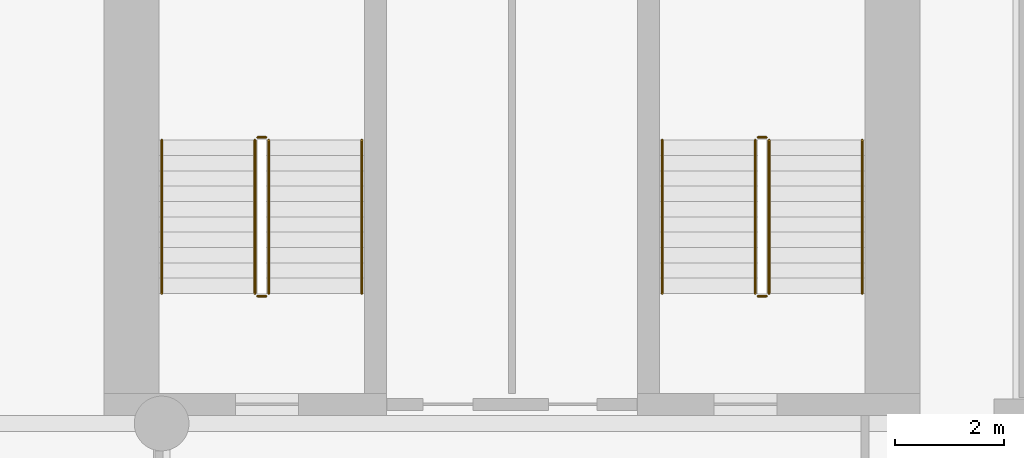
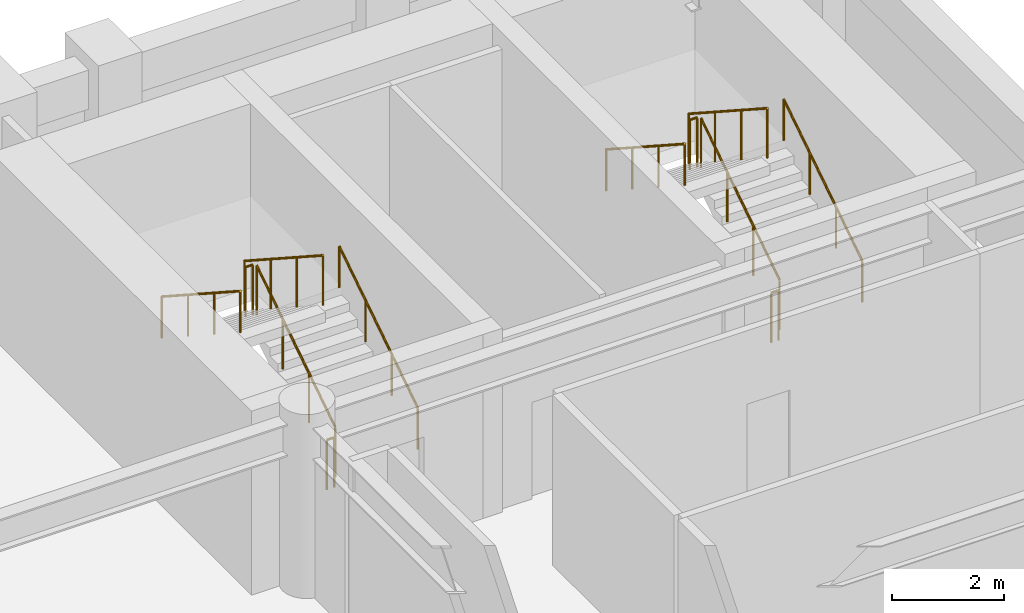
# One storey, part 10 of 10: 12 railings.
"""IFC4 building model written with IfcOpenShell, lengths in metres."""

from ifc_helpers import new_model, si_unit, direction, frame, origin, origin_2d, place, context, subcontext, project, spatial, circle, extrude, material, type_object, element, save


model = new_model("IFC4")

# Units and contexts
model_context = context("Model", 3, precision=1e-05, world=origin(), true_north=direction((0.0, 1.0)))
body_context = subcontext(model_context, "Body", "Model", "MODEL_VIEW")
ifc_project = project(units=[si_unit("LENGTHUNIT", "METRE"), si_unit("AREAUNIT", "SQUARE_METRE"), si_unit("VOLUMEUNIT", "CUBIC_METRE"), si_unit("PLANEANGLEUNIT", "RADIAN"), si_unit("MASSUNIT", "GRAM", prefix="KILO")], contexts=[model_context])

# Site, building, storey
site_placement = place(None, origin())
site = spatial("IfcSite", under=ifc_project, at=site_placement, CompositionType="ELEMENT")
building_placement = place(site_placement, origin())
building = spatial("IfcBuilding", under=site, at=building_placement, Name="Sulina Concourse Tower", CompositionType="ELEMENT")
storey_placement = place(building_placement, frame((0.0, 0.0, 62.60009765625)))
storey = spatial("IfcBuildingStorey", under=building, at=storey_placement, Name="L15", CompositionType="ELEMENT", Elevation=62.60009765625)

# Railings
ifc_material_1 = material(Name="Galvanised steel railing", Category="steel")
railing_type_1 = type_object("IfcRailingType", Name="Core Stair Steel Guardrail 1150mm", PredefinedType="GUARDRAIL", material=ifc_material_1)
railing_1_placement = place(storey_placement, frame((43.554931640625, 36.375, 0.181640625)))
element("IfcRailing", 1, at=railing_1_placement, inside=storey, type_object=railing_type_1, Name="L15 ST-3 stair guard 1", PredefinedType="GUARDRAIL", context=body_context, shape_type="SweptSolid", body=[
    extrude(circle(Radius=0.02392578125, at=origin_2d()), frame((0.0, 0.0, 1.076171875), z_axis=(0.0, 0.838672427954, 0.544636170843), x_axis=(-1.0, 0.0, 0.0)), (0.0, 0.0, 1.0), 3.338623046875),
    extrude(circle(Radius=0.02099609375, at=origin_2d()), origin(), (0.0, 0.0, 1.0), 1.052001953125),
    extrude(circle(Radius=0.02099609375, at=origin_2d()), frame((0.0, 0.933349609375, 0.606201171875)), (0.0, 0.0, 1.0), 1.052001953125),
    extrude(circle(Radius=0.02099609375, at=origin_2d()), frame((0.0, 1.86669921875, 1.212158203125)), (0.0, 0.0, 1.0), 1.052001953125),
    extrude(circle(Radius=0.02099609375, at=origin_2d()), frame((0.0, 2.800048828125, 1.818359375)), (0.0, 0.0, 1.0), 1.052001953125),
])
railing_2_placement = place(storey_placement, frame((43.5048828125, 39.22509765625, 2.0)))
element("IfcRailing", 2, at=railing_2_placement, inside=storey, type_object=railing_type_1, Name="L15 ST-3 stair guard 2", PredefinedType="GUARDRAIL", context=body_context, shape_type="SweptSolid", body=[
    extrude(circle(Radius=0.02392578125, at=origin_2d()), frame((0.0, 0.0, 1.076171875), z_axis=(-1.0, 0.0, 0.0), x_axis=(0.0, -1.0, 0.0)), (0.0, 0.0, 1.0), 0.14990234375),
    extrude(circle(Radius=0.02099609375, at=origin_2d()), origin(), (0.0, 0.0, 1.0), 1.052001953125),
    extrude(circle(Radius=0.02099609375, at=origin_2d()), frame((-0.14990234375, 0.0, 0.0)), (0.0, 0.0, 1.0), 1.052001953125),
])
railing_3_placement = place(storey_placement, frame((43.304931640625, 39.175048828125, 2.181640625)))
element("IfcRailing", 3, at=railing_3_placement, inside=storey, type_object=railing_type_1, Name="L15 ST-3 stair guard 3", PredefinedType="GUARDRAIL", context=body_context, shape_type="SweptSolid", body=[
    extrude(circle(Radius=0.02392578125, at=origin_2d()), frame((0.0, 0.0, 1.076171875), z_axis=(0.0, -0.838672427954, 0.544636170843), x_axis=(1.0, 0.0, 0.0)), (0.0, 0.0, 1.0), 3.338623046875),
    extrude(circle(Radius=0.02099609375, at=origin_2d()), origin(), (0.0, 0.0, 1.0), 1.052001953125),
    extrude(circle(Radius=0.02099609375, at=origin_2d()), frame((0.0, -0.933349609375, 0.606201171875)), (0.0, 0.0, 1.0), 1.052001953125),
    extrude(circle(Radius=0.02099609375, at=origin_2d()), frame((0.0, -1.86669921875, 1.212158203125)), (0.0, 0.0, 1.0), 1.052001953125),
    extrude(circle(Radius=0.02099609375, at=origin_2d()), frame((0.0, -2.800048828125, 1.818359375)), (0.0, 0.0, 1.0), 1.052001953125),
])
railing_4_placement = place(storey_placement, frame((43.5048828125, 36.324951171875, 0.0)))
element("IfcRailing", 4, at=railing_4_placement, inside=storey, type_object=railing_type_1, Name="L15 ST-3 stair guard 4", PredefinedType="GUARDRAIL", context=body_context, shape_type="SweptSolid", body=[
    extrude(circle(Radius=0.02392578125, at=origin_2d()), frame((0.0, 0.0, 1.076171875), z_axis=(-1.0, 0.0, 0.0), x_axis=(0.0, -1.0, 0.0)), (0.0, 0.0, 1.0), 0.14990234375),
    extrude(circle(Radius=0.02099609375, at=origin_2d()), origin(), (0.0, 0.0, 1.0), 1.052001953125),
    extrude(circle(Radius=0.02099609375, at=origin_2d()), frame((-0.14990234375, 0.0, 0.0)), (0.0, 0.0, 1.0), 1.052001953125),
])
railing_5_placement = place(storey_placement, frame((52.695068359375, 36.375, 0.181640625)))
element("IfcRailing", 5, at=railing_5_placement, inside=storey, type_object=railing_type_1, Name="L15 ST-4 stair guard 1", PredefinedType="GUARDRAIL", context=body_context, shape_type="SweptSolid", body=[
    extrude(circle(Radius=0.02392578125, at=origin_2d()), frame((0.0, 0.0, 1.076171875), z_axis=(0.0, 0.838672427954, 0.544636170843), x_axis=(-1.0, 0.0, 0.0)), (0.0, 0.0, 1.0), 3.338623046875),
    extrude(circle(Radius=0.02099609375, at=origin_2d()), origin(), (0.0, 0.0, 1.0), 1.052001953125),
    extrude(circle(Radius=0.02099609375, at=origin_2d()), frame((0.0, 0.933349609375, 0.606201171875)), (0.0, 0.0, 1.0), 1.052001953125),
    extrude(circle(Radius=0.02099609375, at=origin_2d()), frame((0.0, 1.86669921875, 1.212158203125)), (0.0, 0.0, 1.0), 1.052001953125),
    extrude(circle(Radius=0.02099609375, at=origin_2d()), frame((0.0, 2.800048828125, 1.818359375)), (0.0, 0.0, 1.0), 1.052001953125),
])
railing_6_placement = place(storey_placement, frame((52.64501953125, 39.22509765625, 2.0)))
element("IfcRailing", 6, at=railing_6_placement, inside=storey, type_object=railing_type_1, Name="L15 ST-4 stair guard 2", PredefinedType="GUARDRAIL", context=body_context, shape_type="SweptSolid", body=[
    extrude(circle(Radius=0.02392578125, at=origin_2d()), frame((0.0, 0.0, 1.076171875), z_axis=(-1.0, 0.0, 0.0), x_axis=(0.0, -1.0, 0.0)), (0.0, 0.0, 1.0), 0.14990234375),
    extrude(circle(Radius=0.02099609375, at=origin_2d()), origin(), (0.0, 0.0, 1.0), 1.052001953125),
    extrude(circle(Radius=0.02099609375, at=origin_2d()), frame((-0.14990234375, 0.0, 0.0)), (0.0, 0.0, 1.0), 1.052001953125),
])
railing_7_placement = place(storey_placement, frame((52.445068359375, 39.175048828125, 2.181640625)))
element("IfcRailing", 7, at=railing_7_placement, inside=storey, type_object=railing_type_1, Name="L15 ST-4 stair guard 3", PredefinedType="GUARDRAIL", context=body_context, shape_type="SweptSolid", body=[
    extrude(circle(Radius=0.02392578125, at=origin_2d()), frame((0.0, 0.0, 1.076171875), z_axis=(0.0, -0.838672427954, 0.544636170843), x_axis=(1.0, 0.0, 0.0)), (0.0, 0.0, 1.0), 3.338623046875),
    extrude(circle(Radius=0.02099609375, at=origin_2d()), origin(), (0.0, 0.0, 1.0), 1.052001953125),
    extrude(circle(Radius=0.02099609375, at=origin_2d()), frame((0.0, -0.933349609375, 0.606201171875)), (0.0, 0.0, 1.0), 1.052001953125),
    extrude(circle(Radius=0.02099609375, at=origin_2d()), frame((0.0, -1.86669921875, 1.212158203125)), (0.0, 0.0, 1.0), 1.052001953125),
    extrude(circle(Radius=0.02099609375, at=origin_2d()), frame((0.0, -2.800048828125, 1.818359375)), (0.0, 0.0, 1.0), 1.052001953125),
])
railing_8_placement = place(storey_placement, frame((52.64501953125, 36.324951171875, 0.0)))
element("IfcRailing", 8, at=railing_8_placement, inside=storey, type_object=railing_type_1, Name="L15 ST-4 stair guard 4", PredefinedType="GUARDRAIL", context=body_context, shape_type="SweptSolid", body=[
    extrude(circle(Radius=0.02392578125, at=origin_2d()), frame((0.0, 0.0, 1.076171875), z_axis=(-1.0, 0.0, 0.0), x_axis=(0.0, -1.0, 0.0)), (0.0, 0.0, 1.0), 0.14990234375),
    extrude(circle(Radius=0.02099609375, at=origin_2d()), origin(), (0.0, 0.0, 1.0), 1.052001953125),
    extrude(circle(Radius=0.02099609375, at=origin_2d()), frame((-0.14990234375, 0.0, 0.0)), (0.0, 0.0, 1.0), 1.052001953125),
])
ifc_material_2 = material(Name="Galvanised steel railing", Category="steel")
railing_type_2 = type_object("IfcRailingType", Name="Stair Wall Steel Handrail 920mm", PredefinedType="HANDRAIL", material=ifc_material_2)
railing_9_placement = place(storey_placement, frame((45.2548828125, 36.375, 0.181640625)))
element("IfcRailing", 9, at=railing_9_placement, inside=storey, type_object=railing_type_2, Name="L15 ST-3 stair handrail 1", PredefinedType="HANDRAIL", context=body_context, shape_type="SweptSolid", body=[
    extrude(circle(Radius=0.02392578125, at=origin_2d()), frame((0.0, 0.0, 0.89599609375), z_axis=(0.0, 0.838672427954, 0.544636170843), x_axis=(-1.0, 0.0, 0.0)), (0.0, 0.0, 1.0), 3.338623046875),
    extrude(circle(Radius=0.02099609375, at=origin_2d()), origin(), (0.0, 0.0, 1.0), 0.871826171875),
    extrude(circle(Radius=0.02099609375, at=origin_2d()), frame((0.0, 0.933349609375, 0.606201171875)), (0.0, 0.0, 1.0), 0.871826171875),
    extrude(circle(Radius=0.02099609375, at=origin_2d()), frame((0.0, 1.86669921875, 1.212158203125)), (0.0, 0.0, 1.0), 0.871826171875),
    extrude(circle(Radius=0.02099609375, at=origin_2d()), frame((0.0, 2.800048828125, 1.818359375)), (0.0, 0.0, 1.0), 0.871826171875),
])
railing_10_placement = place(storey_placement, frame((41.60498046875, 39.175048828125, 2.181640625)))
element("IfcRailing", 10, at=railing_10_placement, inside=storey, type_object=railing_type_2, Name="L15 ST-3 stair handrail 2", PredefinedType="HANDRAIL", context=body_context, shape_type="SweptSolid", body=[
    extrude(circle(Radius=0.02392578125, at=origin_2d()), frame((0.0, 0.0, 0.89599609375), z_axis=(0.0, -0.838672427954, 0.544636170843), x_axis=(1.0, 0.0, 0.0)), (0.0, 0.0, 1.0), 3.338623046875),
    extrude(circle(Radius=0.02099609375, at=origin_2d()), origin(), (0.0, 0.0, 1.0), 0.871826171875),
    extrude(circle(Radius=0.02099609375, at=origin_2d()), frame((0.0, -0.933349609375, 0.606201171875)), (0.0, 0.0, 1.0), 0.871826171875),
    extrude(circle(Radius=0.02099609375, at=origin_2d()), frame((0.0, -1.86669921875, 1.212158203125)), (0.0, 0.0, 1.0), 0.871826171875),
    extrude(circle(Radius=0.02099609375, at=origin_2d()), frame((0.0, -2.800048828125, 1.818359375)), (0.0, 0.0, 1.0), 0.871826171875),
])
railing_11_placement = place(storey_placement, frame((54.39501953125, 36.375, 0.181640625)))
element("IfcRailing", 11, at=railing_11_placement, inside=storey, type_object=railing_type_2, Name="L15 ST-4 stair handrail 1", PredefinedType="HANDRAIL", context=body_context, shape_type="SweptSolid", body=[
    extrude(circle(Radius=0.02392578125, at=origin_2d()), frame((0.0, 0.0, 0.89599609375), z_axis=(0.0, 0.838672427954, 0.544636170843), x_axis=(-1.0, 0.0, 0.0)), (0.0, 0.0, 1.0), 3.338623046875),
    extrude(circle(Radius=0.02099609375, at=origin_2d()), origin(), (0.0, 0.0, 1.0), 0.871826171875),
    extrude(circle(Radius=0.02099609375, at=origin_2d()), frame((0.0, 0.933349609375, 0.606201171875)), (0.0, 0.0, 1.0), 0.871826171875),
    extrude(circle(Radius=0.02099609375, at=origin_2d()), frame((0.0, 1.86669921875, 1.212158203125)), (0.0, 0.0, 1.0), 0.871826171875),
    extrude(circle(Radius=0.02099609375, at=origin_2d()), frame((0.0, 2.800048828125, 1.818359375)), (0.0, 0.0, 1.0), 0.871826171875),
])
railing_12_placement = place(storey_placement, frame((50.7451171875, 39.175048828125, 2.181640625)))
element("IfcRailing", 12, at=railing_12_placement, inside=storey, type_object=railing_type_2, Name="L15 ST-4 stair handrail 2", PredefinedType="HANDRAIL", context=body_context, shape_type="SweptSolid", body=[
    extrude(circle(Radius=0.02392578125, at=origin_2d()), frame((0.0, 0.0, 0.89599609375), z_axis=(0.0, -0.838672427954, 0.544636170843), x_axis=(1.0, 0.0, 0.0)), (0.0, 0.0, 1.0), 3.338623046875),
    extrude(circle(Radius=0.02099609375, at=origin_2d()), origin(), (0.0, 0.0, 1.0), 0.871826171875),
    extrude(circle(Radius=0.02099609375, at=origin_2d()), frame((0.0, -0.933349609375, 0.606201171875)), (0.0, 0.0, 1.0), 0.871826171875),
    extrude(circle(Radius=0.02099609375, at=origin_2d()), frame((0.0, -1.86669921875, 1.212158203125)), (0.0, 0.0, 1.0), 0.871826171875),
    extrude(circle(Radius=0.02099609375, at=origin_2d()), frame((0.0, -2.800048828125, 1.818359375)), (0.0, 0.0, 1.0), 0.871826171875),
])

save(model, "model.ifc")
